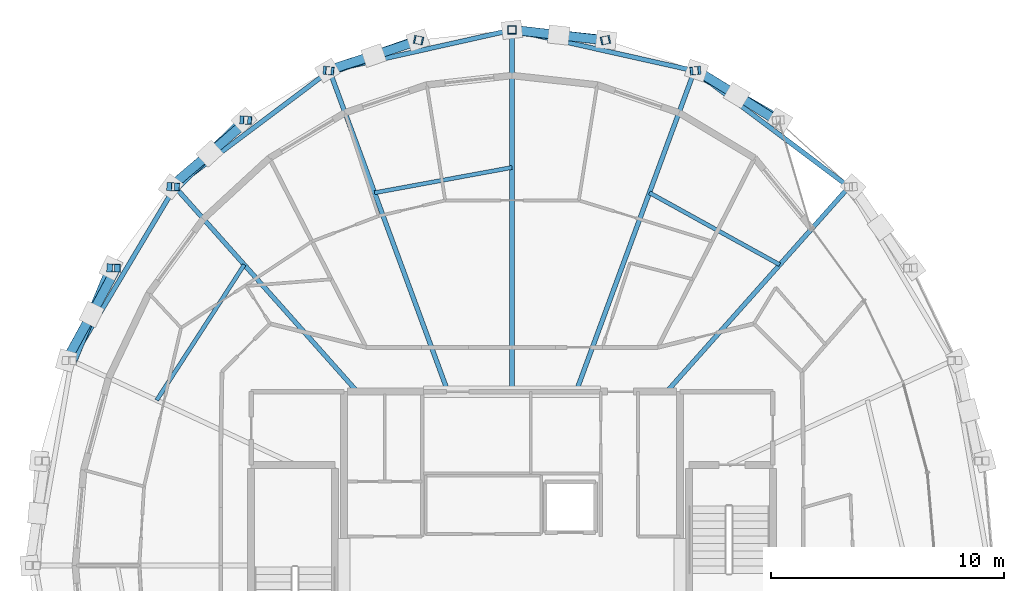
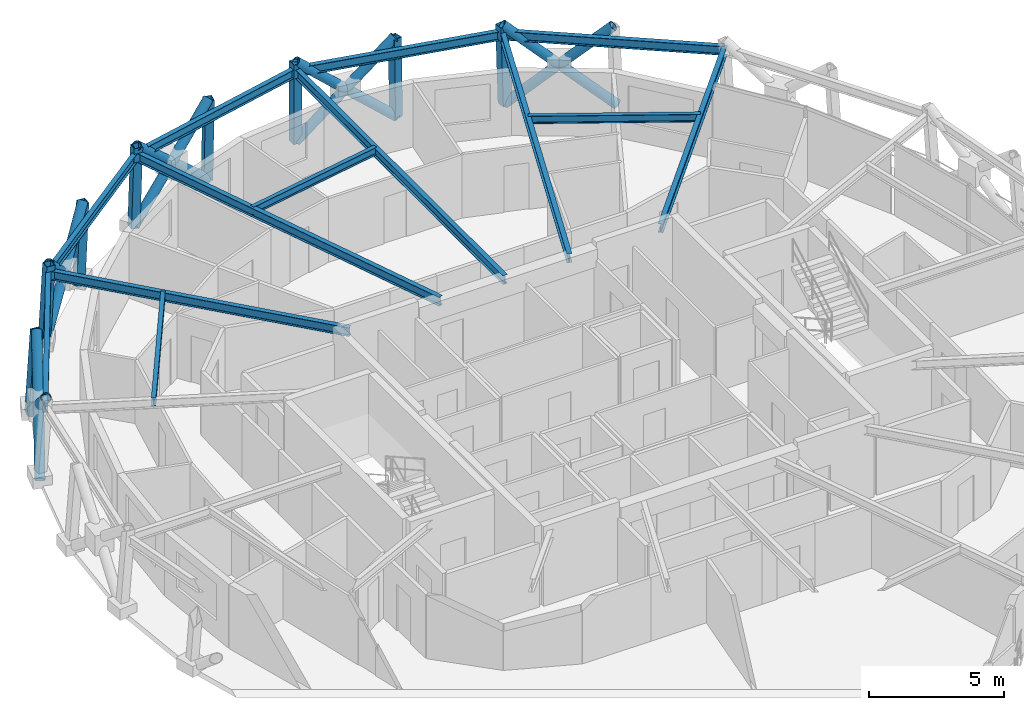
# One storey, part 7 of 16: 23 members, 13 beams.
"""IFC4 building model written with IfcOpenShell, lengths in metres."""

from ifc_helpers import new_model, si_unit, direction, frame, origin, origin_2d, place, context, subcontext, project, spatial, hollow_rectangle, hollow_circle, i_section, extrude, material, material_profile, profile_set, type_object, element, save


model = new_model("IFC4")

# Units and contexts
model_context = context("Model", 3, precision=1e-05, world=origin(), true_north=direction((0.0, 1.0)))
body_context = subcontext(model_context, "Body", "Model", "MODEL_VIEW")
ifc_project = project(units=[si_unit("LENGTHUNIT", "METRE"), si_unit("AREAUNIT", "SQUARE_METRE"), si_unit("VOLUMEUNIT", "CUBIC_METRE"), si_unit("PLANEANGLEUNIT", "RADIAN"), si_unit("MASSUNIT", "GRAM", prefix="KILO")], contexts=[model_context])

# Site, building, storey
site_placement = place(None, origin())
site = spatial("IfcSite", under=ifc_project, at=site_placement, CompositionType="ELEMENT")
building_placement = place(site_placement, origin())
building = spatial("IfcBuilding", under=site, at=building_placement, Name="Veldorina Hangang Commons", CompositionType="ELEMENT")
storey_placement = place(building_placement, frame((0.0, 0.0, 279.60009765625)))
storey = spatial("IfcBuildingStorey", under=building, at=storey_placement, Name="L73", CompositionType="ELEMENT", Elevation=279.60009765625)

# Beams
ifc_material = material(Name="Steel SM355-TMC", Category="steel")
ifc_material_profile_1 = material_profile(ifc_material, i_section(OverallWidth=0.199951171875, OverallDepth=0.39990234375, WebThickness=0.008056640625, FlangeThickness=0.012939453125, FilletRadius=0.012939453125, at=origin_2d()), Name="H-400x200x8x13")
ifc_profile_set_1 = profile_set([ifc_material_profile_1], Name="Steel SM355-TMC")
beam_type_1 = type_object("IfcBeamType", Name="BM-FG400", PredefinedType="BEAM", material=ifc_profile_set_1)
beam_1_placement = place(storey_placement, frame((38.630126953125, 31.449951171875, 3.159912109375), z_axis=(0.664804756988, 0.747017158495, 0.0), x_axis=(-0.747017158495, 0.664804756988, 0.0)))
element("IfcBeam", 1, at=beam_1_placement, inside=storey, type_object=beam_type_1, Name="L73 radial floor girder 03", PredefinedType="BEAM", context=body_context, shape_type="SweptSolid", body=[
    extrude(i_section(OverallWidth=0.199951171875, OverallDepth=0.39990234375, WebThickness=0.008056640625, FlangeThickness=0.012939453125, FilletRadius=0.012939453125, at=origin_2d()), origin(), (0.0, 0.0, 1.0), 11.750732421875),
])
beam_2_placement = place(storey_placement, frame((34.746337890625, 31.449951171875, 3.159912109375), z_axis=(0.345868219805, 0.938283099352, 0.0), x_axis=(-0.938283099352, 0.345868219805, 0.0)))
element("IfcBeam", 2, at=beam_2_placement, inside=storey, type_object=beam_type_1, Name="L73 radial floor girder 04", PredefinedType="BEAM", context=body_context, shape_type="SweptSolid", body=[
    extrude(i_section(OverallWidth=0.199951171875, OverallDepth=0.39990234375, WebThickness=0.008056640625, FlangeThickness=0.012939453125, FilletRadius=0.012939453125, at=origin_2d()), origin(), (0.0, 0.0, 1.0), 14.657470703125),
])
beam_3_placement = place(storey_placement, frame((32.0, 31.449951171875, 3.159912109375), z_axis=(0.0, 1.0, 0.0), x_axis=(-1.0, 0.0, 0.0)))
element("IfcBeam", 3, at=beam_3_placement, inside=storey, type_object=beam_type_1, Name="L73 radial floor girder 05", PredefinedType="BEAM", context=body_context, shape_type="SweptSolid", body=[
    extrude(i_section(OverallWidth=0.199951171875, OverallDepth=0.39990234375, WebThickness=0.008056640625, FlangeThickness=0.012939453125, FilletRadius=0.012939453125, at=origin_2d()), origin(), (0.0, 0.0, 1.0), 15.5),
])
beam_4_placement = place(storey_placement, frame((29.253662109375, 31.449951171875, 3.159912109375), z_axis=(-0.345868219805, 0.938283099352, 0.0), x_axis=(-0.938283099352, -0.345868219805, 0.0)))
element("IfcBeam", 4, at=beam_4_placement, inside=storey, type_object=beam_type_1, Name="L73 radial floor girder 06", PredefinedType="BEAM", context=body_context, shape_type="SweptSolid", body=[
    extrude(i_section(OverallWidth=0.199951171875, OverallDepth=0.39990234375, WebThickness=0.008056640625, FlangeThickness=0.012939453125, FilletRadius=0.012939453125, at=origin_2d()), origin(), (0.0, 0.0, 1.0), 14.657470703125),
])
beam_5_placement = place(storey_placement, frame((25.369873046875, 31.449951171875, 3.159912109375), z_axis=(-0.664804756988, 0.747017158495, 0.0), x_axis=(-0.747017158495, -0.664804756988, 0.0)))
element("IfcBeam", 5, at=beam_5_placement, inside=storey, type_object=beam_type_1, Name="L73 radial floor girder 07", PredefinedType="BEAM", context=body_context, shape_type="SweptSolid", body=[
    extrude(i_section(OverallWidth=0.199951171875, OverallDepth=0.39990234375, WebThickness=0.008056640625, FlangeThickness=0.012939453125, FilletRadius=0.012939453125, at=origin_2d()), origin(), (0.0, 0.0, 1.0), 11.750732421875),
])
ifc_material_profile_2 = material_profile(ifc_material, i_section(OverallWidth=0.175048828125, OverallDepth=0.35009765625, WebThickness=0.007080078125, FlangeThickness=0.010986328125, FilletRadius=0.012939453125, at=origin_2d()), Name="H-350x175x7x11")
ifc_profile_set_2 = profile_set([ifc_material_profile_2], Name="Steel SM355-TMC")
beam_type_2 = type_object("IfcBeamType", Name="BM-JST350", PredefinedType="JOIST", material=ifc_profile_set_2)
beam_6_placement = place(storey_placement, frame((43.4736328125, 36.892333984375, 3.184814453125), z_axis=(-0.875344265434, 0.48350017267, 0.0), x_axis=(-0.48350017267, -0.875344265434, 0.0)))
element("IfcBeam", 6, at=beam_6_placement, inside=storey, type_object=beam_type_2, Name="L73 secondary floor joist 03", PredefinedType="JOIST", context=body_context, shape_type="SweptSolid", body=[
    extrude(i_section(OverallWidth=0.175048828125, OverallDepth=0.35009765625, WebThickness=0.007080078125, FlangeThickness=0.010986328125, FilletRadius=0.012939453125, at=origin_2d()), origin(), (0.0, 0.0, 1.0), 6.37939453125),
])
beam_7_placement = place(storey_placement, frame((32.0, 41.06005859375, 3.184814453125), z_axis=(-0.983501897118, -0.180897811943, 0.0), x_axis=(0.180897811943, -0.983501897118, 0.0)))
element("IfcBeam", 7, at=beam_7_placement, inside=storey, type_object=beam_type_2, Name="L73 secondary floor joist 05", PredefinedType="JOIST", context=body_context, shape_type="SweptSolid", body=[
    extrude(i_section(OverallWidth=0.175048828125, OverallDepth=0.35009765625, WebThickness=0.007080078125, FlangeThickness=0.010986328125, FilletRadius=0.012939453125, at=origin_2d()), origin(), (0.0, 0.0, 1.0), 5.98828125),
])
beam_8_placement = place(storey_placement, frame((20.5263671875, 36.892333984375, 3.184814453125), z_axis=(-0.54286755119, -0.839818326702, 0.0), x_axis=(0.839818326702, -0.54286755119, 0.0)))
element("IfcBeam", 8, at=beam_8_placement, inside=storey, type_object=beam_type_2, Name="L73 secondary floor joist 07", PredefinedType="JOIST", context=body_context, shape_type="SweptSolid", body=[
    extrude(i_section(OverallWidth=0.175048828125, OverallDepth=0.35009765625, WebThickness=0.007080078125, FlangeThickness=0.010986328125, FilletRadius=0.012939453125, at=origin_2d()), origin(), (0.0, 0.0, 1.0), 6.91259765625),
])
ifc_material_profile_3 = material_profile(ifc_material, i_section(OverallWidth=0.199951171875, OverallDepth=0.39990234375, WebThickness=0.008056640625, FlangeThickness=0.012939453125, FilletRadius=0.012939453125, at=origin_2d()), Name="H-400x200x8x13")
ifc_profile_set_3 = profile_set([ifc_material_profile_3], Name="Steel SM355-TMC")
beam_type_3 = type_object("IfcBeamType", Name="BM-RB400", PredefinedType="BEAM", material=ifc_profile_set_3)
beam_9_placement = place(storey_placement, frame((46.442138671875, 40.22802734375, 3.159912109375), z_axis=(-0.799699360475, 0.600400643617, 0.0), x_axis=(-0.600400643617, -0.799699360475, 0.0)))
element("IfcBeam", 9, at=beam_9_placement, inside=storey, type_object=beam_type_3, Name="L73 perimeter hoop ring beam 04", PredefinedType="BEAM", context=body_context, shape_type="SweptSolid", body=[
    extrude(i_section(OverallWidth=0.199951171875, OverallDepth=0.39990234375, WebThickness=0.008056640625, FlangeThickness=0.012939453125, FilletRadius=0.012939453125, at=origin_2d()), origin(), (0.0, 0.0, 1.0), 8.285888671875),
])
for number, where, z_axis, x_axis, name in (
    (10, (39.81591796875, 45.202880859375, 3.159912109375), (-0.975916611529, 0.218143914291, 0.0), (-0.218143914291, -0.975916611529, 0.0), "L73 perimeter hoop ring beam 06"),
    (11, (32.0, 46.949951171875, 3.159912109375), (-0.975916611529, -0.218143914291, 0.0), (0.218143914291, -0.975916611529, 0.0), "L73 perimeter hoop ring beam 08"),
):
    element("IfcBeam", number, at=place(storey_placement, frame(where, z_axis=z_axis, x_axis=x_axis)), inside=storey, type_object=beam_type_3, Name=name, PredefinedType="BEAM", context=body_context, shape_type="SweptSolid", body=[
        extrude(i_section(OverallWidth=0.199951171875, OverallDepth=0.39990234375, WebThickness=0.008056640625, FlangeThickness=0.012939453125, FilletRadius=0.012939453125, at=origin_2d()), origin(), (0.0, 0.0, 1.0), 8.0087890625),
    ])
beam_10_placement = place(storey_placement, frame((24.18408203125, 45.202880859375, 3.159912109375), z_axis=(-0.799699360475, -0.600400643617, 0.0), x_axis=(0.600400643617, -0.799699360475, 0.0)))
element("IfcBeam", 12, at=beam_10_placement, inside=storey, type_object=beam_type_3, Name="L73 perimeter hoop ring beam 10", PredefinedType="BEAM", context=body_context, shape_type="SweptSolid", body=[
    extrude(i_section(OverallWidth=0.199951171875, OverallDepth=0.39990234375, WebThickness=0.008056640625, FlangeThickness=0.012939453125, FilletRadius=0.012939453125, at=origin_2d()), origin(), (0.0, 0.0, 1.0), 8.285888671875),
])
beam_11_placement = place(storey_placement, frame((17.557861328125, 40.22802734375, 3.159912109375), z_axis=(-0.511122102298, -0.859508113134, 0.0), x_axis=(0.859508113134, -0.511122102298, 0.0)))
element("IfcBeam", 13, at=beam_11_placement, inside=storey, type_object=beam_type_3, Name="L73 perimeter hoop ring beam 12", PredefinedType="BEAM", context=body_context, shape_type="SweptSolid", body=[
    extrude(i_section(OverallWidth=0.199951171875, OverallDepth=0.39990234375, WebThickness=0.008056640625, FlangeThickness=0.012939453125, FilletRadius=0.012939453125, at=origin_2d()), origin(), (0.0, 0.0, 1.0), 8.662353515625),
])

# Members
ifc_material_profile_4 = material_profile(ifc_material, hollow_circle(Radius=0.199951171875, WallThickness=0.02001953125, at=origin_2d()), Name="CHS-400x20")
ifc_profile_set_4 = profile_set([ifc_material_profile_4], Name="Steel SM355-TMC")
member_type_1 = type_object("IfcMemberType", Name="DG-CHS400", PredefinedType="BRACE", material=ifc_profile_set_4)
member_1_placement = place(storey_placement, frame((43.485107421875, 43.091064453125, 0.0), z_axis=(-0.661657327551, 0.379236729873, 0.646830026834), x_axis=(-0.497272128672, -0.867594623108, 0.0)))
element("IfcMember", 14, at=member_1_placement, inside=storey, type_object=member_type_1, Name="L73 continuous perimeter diagrid brace 05", PredefinedType="BRACE", context=body_context, shape_type="SweptSolid", body=[
    extrude(hollow_circle(Radius=0.199951171875, WallThickness=0.02001953125, at=origin_2d()), origin(), (0.0, 0.0, 1.0), 5.5654296875),
])
member_2_placement = place(storey_placement, frame((39.9111328125, 45.212890625, 0.0), z_axis=(0.634854553967, -0.390949531959, 0.666421907479), x_axis=(0.524359878135, 0.851496751727, 0.0)))
element("IfcMember", 15, at=member_2_placement, inside=storey, type_object=member_type_1, Name="L73 split perimeter diagrid lower brace 06", PredefinedType="BRACE", context=body_context, shape_type="SweptSolid", body=[
    extrude(hollow_circle(Radius=0.199951171875, WallThickness=0.02001953125, at=origin_2d()), origin(), (0.0, 0.0, 1.0), 2.714599609375),
])
member_3_placement = place(storey_placement, frame((41.634521484375, 44.151611328125, 1.80908203125), z_axis=(0.630184774374, -0.39840833847, 0.666436753177), x_axis=(0.534373490712, 0.845248467863, 0.0)))
element("IfcMember", 16, at=member_3_placement, inside=storey, type_object=member_type_1, Name="L73 split perimeter diagrid upper brace 06", PredefinedType="BRACE", context=body_context, shape_type="SweptSolid", body=[
    extrude(hollow_circle(Radius=0.199951171875, WallThickness=0.02001953125, at=origin_2d()), origin(), (0.0, 0.0, 1.0), 2.68701171875),
])
member_4_placement = place(storey_placement, frame((36.032958984375, 46.519287109375, 0.0), z_axis=(-0.743689559393, 0.079145604783, 0.663823630562), x_axis=(-0.10582531422, -0.994384735839, 0.0)))
element("IfcMember", 17, at=member_4_placement, inside=storey, type_object=member_type_1, Name="L73 continuous perimeter diagrid brace 07", PredefinedType="BRACE", context=body_context, shape_type="SweptSolid", body=[
    extrude(hollow_circle(Radius=0.199951171875, WallThickness=0.02001953125, at=origin_2d()), origin(), (0.0, 0.0, 1.0), 5.4228515625),
])
member_5_placement = place(storey_placement, frame((32.0, 46.960693359375, 0.0), z_axis=(0.738912859439, -0.083142334422, 0.668651731758), x_axis=(0.111814212615, 0.993729129017, 0.0)))
element("IfcMember", 18, at=member_5_placement, inside=storey, type_object=member_type_1, Name="L73 split perimeter diagrid lower brace 08", PredefinedType="BRACE", context=body_context, shape_type="SweptSolid", body=[
    extrude(hollow_circle(Radius=0.199951171875, WallThickness=0.02001953125, at=origin_2d()), origin(), (0.0, 0.0, 1.0), 2.710205078125),
])
member_6_placement = place(storey_placement, frame((34.002685546875, 46.7353515625, 1.812255859375), z_axis=(0.738727234697, -0.085195613099, 0.668598369895), x_axis=(0.114568177602, 0.993415387781, 0.0)))
element("IfcMember", 19, at=member_6_placement, inside=storey, type_object=member_type_1, Name="L73 split perimeter diagrid upper brace 08", PredefinedType="BRACE", context=body_context, shape_type="SweptSolid", body=[
    extrude(hollow_circle(Radius=0.199951171875, WallThickness=0.02001953125, at=origin_2d()), origin(), (0.0, 0.0, 1.0), 2.673583984375),
])
member_7_placement = place(storey_placement, frame((27.967041015625, 46.519287109375, 0.0), z_axis=(-0.701163463535, -0.245073454614, 0.669558660049), x_axis=(0.32995008467, -0.943998380097, 0.0)))
element("IfcMember", 20, at=member_7_placement, inside=storey, type_object=member_type_1, Name="L73 continuous perimeter diagrid brace 09", PredefinedType="BRACE", context=body_context, shape_type="SweptSolid", body=[
    extrude(hollow_circle(Radius=0.199951171875, WallThickness=0.02001953125, at=origin_2d()), origin(), (0.0, 0.0, 1.0), 5.37646484375),
])
member_8_placement = place(storey_placement, frame((24.0888671875, 45.212890625, 0.0), z_axis=(0.717795472901, 0.233133177251, 0.656062939623), x_axis=(-0.308905880459, 0.951092612219, 0.0)))
element("IfcMember", 21, at=member_8_placement, inside=storey, type_object=member_type_1, Name="L73 split perimeter diagrid lower brace 10", PredefinedType="BRACE", context=body_context, shape_type="SweptSolid", body=[
    extrude(hollow_circle(Radius=0.199951171875, WallThickness=0.02001953125, at=origin_2d()), origin(), (0.0, 0.0, 1.0), 2.760498046875),
])
member_9_placement = place(storey_placement, frame((26.0703125, 45.8564453125, 1.81103515625), z_axis=(0.715902983832, 0.23881341562, 0.656087700129), x_axis=(-0.316441329204, 0.94861208361, 0.0)))
element("IfcMember", 22, at=member_9_placement, inside=storey, type_object=member_type_1, Name="L73 split perimeter diagrid upper brace 10", PredefinedType="BRACE", context=body_context, shape_type="SweptSolid", body=[
    extrude(hollow_circle(Radius=0.199951171875, WallThickness=0.02001953125, at=origin_2d()), origin(), (0.0, 0.0, 1.0), 2.7265625),
])
member_10_placement = place(storey_placement, frame((20.514892578125, 43.091064453125, 0.0), z_axis=(-0.537558888151, -0.524983626116, 0.659865618198), x_axis=(0.698689194359, -0.715425334809, 0.0)))
element("IfcMember", 23, at=member_10_placement, inside=storey, type_object=member_type_1, Name="L73 continuous perimeter diagrid brace 11", PredefinedType="BRACE", context=body_context, shape_type="SweptSolid", body=[
    extrude(hollow_circle(Radius=0.199951171875, WallThickness=0.02001953125, at=origin_2d()), origin(), (0.0, 0.0, 1.0), 5.455322265625),
])
member_11_placement = place(storey_placement, frame((17.382080078125, 40.235595703125, 0.0), z_axis=(0.585968260511, 0.500265126716, 0.637476274591), x_axis=(-0.649298656408, 0.76053353298, 0.0)))
element("IfcMember", 24, at=member_11_placement, inside=storey, type_object=member_type_1, Name="L73 split perimeter diagrid lower brace 12", PredefinedType="BRACE", context=body_context, shape_type="SweptSolid", body=[
    extrude(hollow_circle(Radius=0.199951171875, WallThickness=0.02001953125, at=origin_2d()), origin(), (0.0, 0.0, 1.0), 2.83447265625),
])
member_12_placement = place(storey_placement, frame((19.04296875, 41.653564453125, 1.806884765625), z_axis=(0.579383862059, 0.507666333202, 0.637643501118), x_axis=(-0.659023123066, 0.752122678334, 0.0)))
element("IfcMember", 25, at=member_12_placement, inside=storey, type_object=member_type_1, Name="L73 split perimeter diagrid upper brace 12", PredefinedType="BRACE", context=body_context, shape_type="SweptSolid", body=[
    extrude(hollow_circle(Radius=0.199951171875, WallThickness=0.02001953125, at=origin_2d()), origin(), (0.0, 0.0, 1.0), 2.811767578125),
])
member_13_placement = place(storey_placement, frame((14.811279296875, 36.756103515625, 0.0), z_axis=(-0.293928779086, -0.708405784122, 0.641690827305), x_axis=(0.923650031983, -0.383237026417, 0.0)))
element("IfcMember", 26, at=member_13_placement, inside=storey, type_object=member_type_1, Name="L73 continuous perimeter diagrid brace 13", PredefinedType="BRACE", context=body_context, shape_type="SweptSolid", body=[
    extrude(hollow_circle(Radius=0.199951171875, WallThickness=0.02001953125, at=origin_2d()), origin(), (0.0, 0.0, 1.0), 5.60986328125),
])
member_14_placement = place(storey_placement, frame((12.90087890625, 32.78662109375, 0.0), z_axis=(0.375517321924, 0.68527896605, 0.624002788154), x_axis=(-0.876963876119, 0.480556302614, 0.0)))
element("IfcMember", 27, at=member_14_placement, inside=storey, type_object=member_type_1, Name="L73 split perimeter diagrid lower brace 14", PredefinedType="BRACE", context=body_context, shape_type="SweptSolid", body=[
    extrude(hollow_circle(Radius=0.199951171875, WallThickness=0.02001953125, at=origin_2d()), origin(), (0.0, 0.0, 1.0), 2.888671875),
])
member_15_placement = place(storey_placement, frame((13.985595703125, 34.76611328125, 1.802490234375), z_axis=(0.368508747136, 0.688855283417, 0.624243303362), x_axis=(-0.881757346375, 0.471703277615, 0.0)))
element("IfcMember", 28, at=member_15_placement, inside=storey, type_object=member_type_1, Name="L73 split perimeter diagrid upper brace 14", PredefinedType="BRACE", context=body_context, shape_type="SweptSolid", body=[
    extrude(hollow_circle(Radius=0.199951171875, WallThickness=0.02001953125, at=origin_2d()), origin(), (0.0, 0.0, 1.0), 2.879150390625),
])
ifc_material_profile_5 = material_profile(ifc_material, hollow_rectangle(XDim=0.35009765625, YDim=0.35009765625, WallThickness=0.01611328125, at=origin_2d()), Name="SHS-350x350x16")
ifc_profile_set_5 = profile_set([ifc_material_profile_5], Name="Steel SM355-TMC")
member_type_2 = type_object("IfcMemberType", Name="STR-SHS350", PredefinedType="STRUT", material=ifc_profile_set_5)
member_16_placement = place(storey_placement, frame((39.9111328125, 45.212890625, 0.0), z_axis=(-0.030098113652, -0.003118273036, 0.999542085121), x_axis=(0.103052014752, -0.994675968472, 0.0)))
element("IfcMember", 29, at=member_16_placement, inside=storey, type_object=member_type_2, Name="L73 perimeter ring node post 06", PredefinedType="STRUT", context=body_context, shape_type="SweptSolid", body=[
    extrude(hollow_rectangle(XDim=0.35009765625, YDim=0.35009765625, WallThickness=0.01611328125, at=origin_2d()), origin(), (0.0, 0.0, 1.0), 3.6015625),
])
member_17_placement = place(storey_placement, frame((36.032958984375, 46.519287109375, 0.0), z_axis=(-0.015325348336, -0.003254941239, 0.999877261996), x_axis=(0.207755223872, -0.97818084573, 0.0)))
element("IfcMember", 30, at=member_17_placement, inside=storey, type_object=member_type_2, Name="L73 perimeter ring node post 07", PredefinedType="STRUT", context=body_context, shape_type="SweptSolid", body=[
    extrude(hollow_rectangle(XDim=0.35009765625, YDim=0.35009765625, WallThickness=0.01611328125, at=origin_2d()), origin(), (0.0, 0.0, 1.0), 3.600341796875),
])
member_18_placement = place(storey_placement, frame((32.0, 46.960693359375, 0.0), z_axis=(0.0, -0.003390960497, 0.999994250677), x_axis=(1.0, 0.0, 0.0)))
element("IfcMember", 31, at=member_18_placement, inside=storey, type_object=member_type_2, Name="L73 perimeter ring node post 08", PredefinedType="STRUT", context=body_context, shape_type="SweptSolid", body=[
    extrude(hollow_rectangle(XDim=0.35009765625, YDim=0.35009765625, WallThickness=0.01611328125, at=origin_2d()), origin(), (0.0, 0.0, 1.0), 3.599853515625),
])
member_19_placement = place(storey_placement, frame((27.967041015625, 46.519287109375, 0.0), z_axis=(0.015325348336, -0.003254941239, 0.999877261996), x_axis=(0.207755223872, 0.97818084573, 0.0)))
element("IfcMember", 32, at=member_19_placement, inside=storey, type_object=member_type_2, Name="L73 perimeter ring node post 09", PredefinedType="STRUT", context=body_context, shape_type="SweptSolid", body=[
    extrude(hollow_rectangle(XDim=0.35009765625, YDim=0.35009765625, WallThickness=0.01611328125, at=origin_2d()), origin(), (0.0, 0.0, 1.0), 3.600341796875),
])
member_20_placement = place(storey_placement, frame((24.0888671875, 45.212890625, 0.0), z_axis=(0.030098113652, -0.003118273036, 0.999542085121), x_axis=(0.103052014752, 0.994675968472, 0.0)))
element("IfcMember", 33, at=member_20_placement, inside=storey, type_object=member_type_2, Name="L73 perimeter ring node post 10", PredefinedType="STRUT", context=body_context, shape_type="SweptSolid", body=[
    extrude(hollow_rectangle(XDim=0.35009765625, YDim=0.35009765625, WallThickness=0.01611328125, at=origin_2d()), origin(), (0.0, 0.0, 1.0), 3.6015625),
])
member_21_placement = place(storey_placement, frame((20.514892578125, 43.091064453125, 0.0), z_axis=(0.043634055947, -0.002777944556, 0.999043718856), x_axis=(0.063535965105, 0.997979549459, 0.0)))
element("IfcMember", 34, at=member_21_placement, inside=storey, type_object=member_type_2, Name="L73 perimeter ring node post 11", PredefinedType="STRUT", context=body_context, shape_type="SweptSolid", body=[
    extrude(hollow_rectangle(XDim=0.35009765625, YDim=0.35009765625, WallThickness=0.01611328125, at=origin_2d()), origin(), (0.0, 0.0, 1.0), 3.603271484375),
])
member_22_placement = place(storey_placement, frame((17.382080078125, 40.235595703125, 0.0), z_axis=(0.055526119102, -0.002370017279, 0.998454422152), x_axis=(0.042644099308, 0.999090326644, 0.0)))
element("IfcMember", 35, at=member_22_placement, inside=storey, type_object=member_type_2, Name="L73 perimeter ring node post 12", PredefinedType="STRUT", context=body_context, shape_type="SweptSolid", body=[
    extrude(hollow_rectangle(XDim=0.35009765625, YDim=0.35009765625, WallThickness=0.01611328125, at=origin_2d()), origin(), (0.0, 0.0, 1.0), 3.60546875),
])
member_23_placement = place(storey_placement, frame((14.811279296875, 36.756103515625, 0.0), z_axis=(0.065238709046, -0.001827225253, 0.997868013361), x_axis=(0.027997319452, 0.999607998219, 0.0)))
element("IfcMember", 36, at=member_23_placement, inside=storey, type_object=member_type_2, Name="L73 perimeter ring node post 13", PredefinedType="STRUT", context=body_context, shape_type="SweptSolid", body=[
    extrude(hollow_rectangle(XDim=0.35009765625, YDim=0.35009765625, WallThickness=0.01611328125, at=origin_2d()), origin(), (0.0, 0.0, 1.0), 3.607666015625),
])

save(model, "model.ifc")
